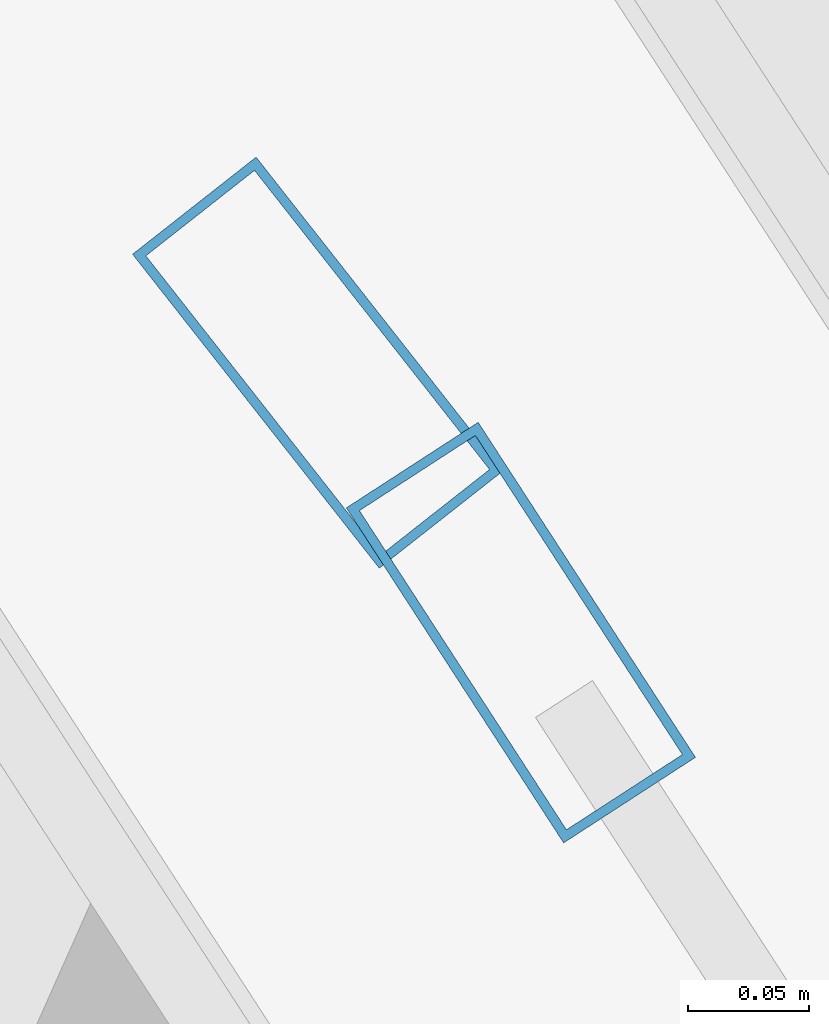
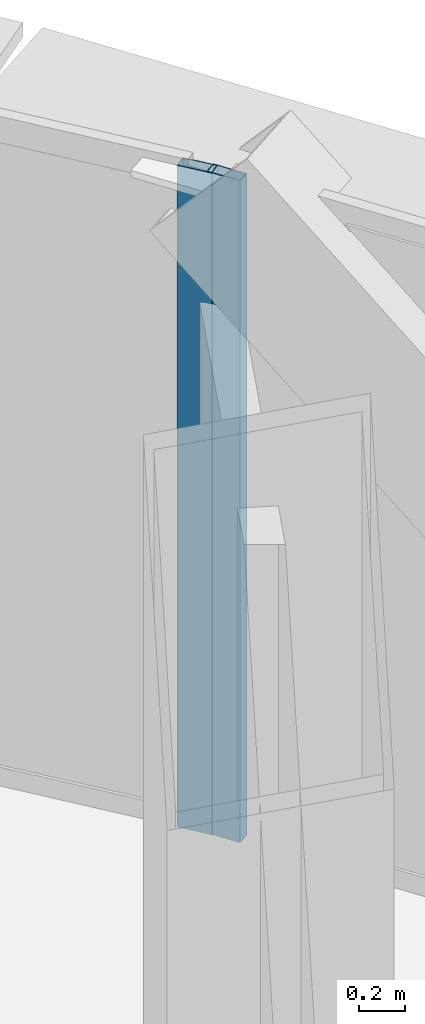
# One storey, part 18 of 39: 2 members, 2 elements without a shape of their own.
"""IFC4 building model written with IfcOpenShell, lengths in metres."""

from ifc_helpers import new_model, si_unit, direction, frame, origin, origin_2d, place, context, subcontext, project, spatial, hollow_rectangle, extrude, source, transform, mapped, material, layer, layer_set, material_profile, profile_set, type_object, element, aggregate, save


model = new_model("IFC4")

# Units and contexts
model_context = context("Model", 3, precision=1e-05, world=origin(), true_north=direction((0.0, 1.0)))
body_context = subcontext(model_context, "Body", "Model", "MODEL_VIEW")
ifc_project = project(units=[si_unit("LENGTHUNIT", "METRE"), si_unit("AREAUNIT", "SQUARE_METRE"), si_unit("VOLUMEUNIT", "CUBIC_METRE"), si_unit("PLANEANGLEUNIT", "RADIAN"), si_unit("MASSUNIT", "GRAM", prefix="KILO"), si_unit("THERMODYNAMICTEMPERATUREUNIT", "KELVIN"), si_unit("POWERUNIT", "WATT")], contexts=[model_context])

# Site, building, storey
site_placement = place(None, origin())
site = spatial("IfcSite", under=ifc_project, at=site_placement, CompositionType="ELEMENT")
building_placement = place(site_placement, origin())
building = spatial("IfcBuilding", under=site, at=building_placement, Name="Yunzhuo Pagoda Commons", CompositionType="ELEMENT")
storey_placement = place(building_placement, frame((0.0, 0.0, 92.580078125)))
storey = spatial("IfcBuildingStorey", under=building, at=storey_placement, Name="L23", CompositionType="ELEMENT", Elevation=92.580078125)

# Curtain wall, member
ifc_material = material(Name="Anodized aluminium 6063-T6", Category="aluminium")
ifc_layer = layer(ifc_material, 0.1650390625)
ifc_layer_set = layer_set([ifc_layer], Name="Anodized aluminium 6063-T6")
curtain_wall_type = type_object("IfcCurtainWallType", Name="CW-LOW Low-Zone Ribbon Curtain Wall", PredefinedType="NOTDEFINED", material=ifc_layer_set)
curtain_wall_1_placement = place(storey_placement, origin())
curtain_wall_1 = element("IfcCurtainWall", 1, at=curtain_wall_1_placement, inside=storey, type_object=curtain_wall_type, Name="L23 curtain wall CW-L23-F2B4", PredefinedType="NOTDEFINED")
ifc_material_profile = material_profile(ifc_material, hollow_rectangle(XDim=0.06494140625, YDim=0.1650390625, WallThickness=0.00390625, at=origin_2d()), Name="Anodized aluminium 6063-T6")
ifc_profile_set = profile_set([ifc_material_profile], Name="Anodized aluminium 6063-T6")
member_type = type_object("IfcMemberType", Name="CW-LOW-M Mullion RHS 165x65x4", PredefinedType="MULLION", material=ifc_profile_set)
shared_shape = source(origin(), body_context, "Body", "SweptSolid", [
    extrude(hollow_rectangle(XDim=0.06494140625, YDim=0.1650390625, WallThickness=0.00390625, at=origin_2d()), origin(), (0.0, 0.0, 1.0), 3.5400390625),
])
member_1_placement = place(storey_placement, frame((64.787841796875, 71.339599609375, 0.0), z_axis=(0.0, 0.0, 1.0), x_axis=(-0.838972259493, -0.544174188841, 0.0)))
member_1 = element("IfcMember", 2, at=member_1_placement, type_object=member_type, Name="CW mullion 2", PredefinedType="MULLION", context=body_context, shape_type="MappedRepresentation", body=[
    mapped(shared_shape, transform((0.0, 0.0, 0.0), scale=1.0)),
])
aggregate(curtain_wall_1, [member_1])

curtain_wall_2_placement = place(storey_placement, origin())
curtain_wall_2 = element("IfcCurtainWall", 3, at=curtain_wall_2_placement, inside=storey, type_object=curtain_wall_type, Name="L23 curtain wall CW-L23-F2B5", PredefinedType="NOTDEFINED")
member_2_placement = place(storey_placement, frame((64.703857421875, 71.451171875, 0.0), z_axis=(0.0, 0.0, 1.0), x_axis=(-0.786214870416, -0.617953216301, 0.0)))
member_2 = element("IfcMember", 4, at=member_2_placement, type_object=member_type, Name="CW mullion 1", PredefinedType="MULLION", context=body_context, shape_type="MappedRepresentation", body=[
    mapped(shared_shape, transform((0.0, 0.0, 0.0), scale=1.0)),
])
aggregate(curtain_wall_2, [member_2])

save(model, "model.ifc")
